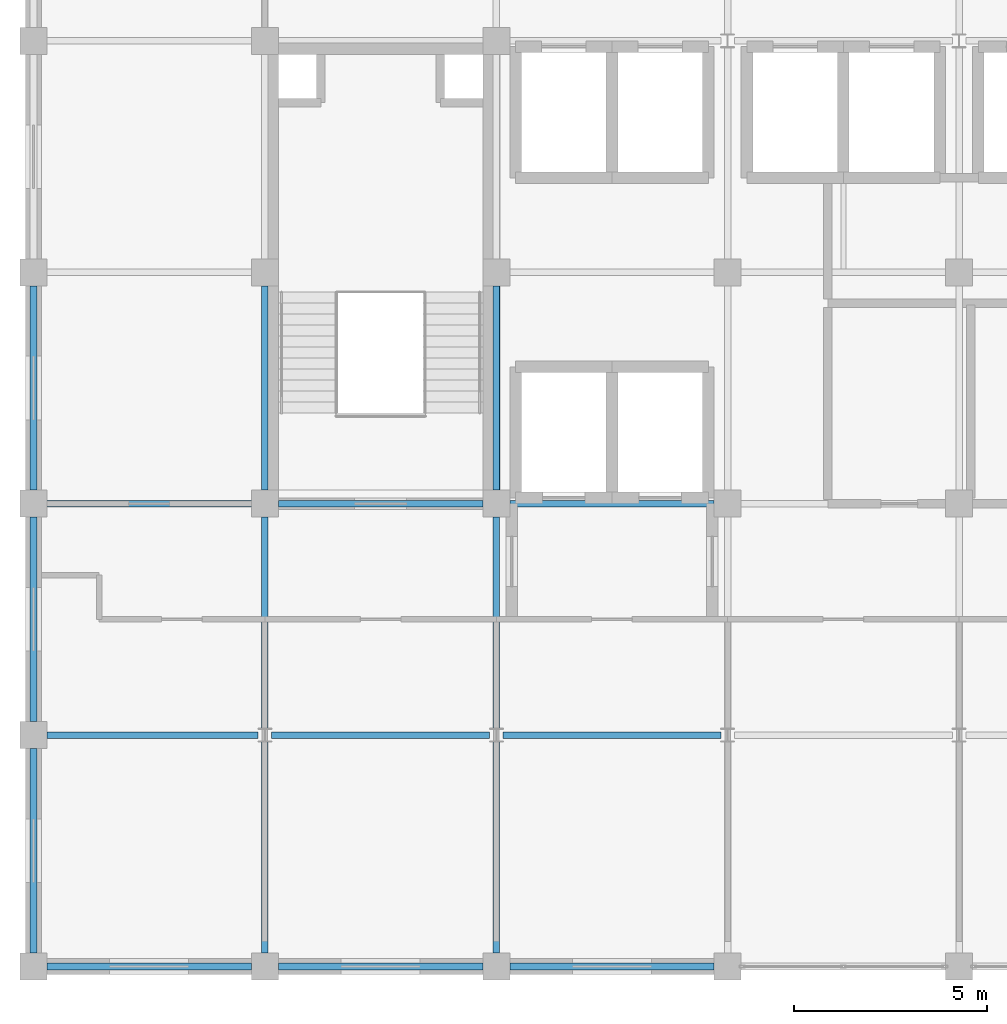
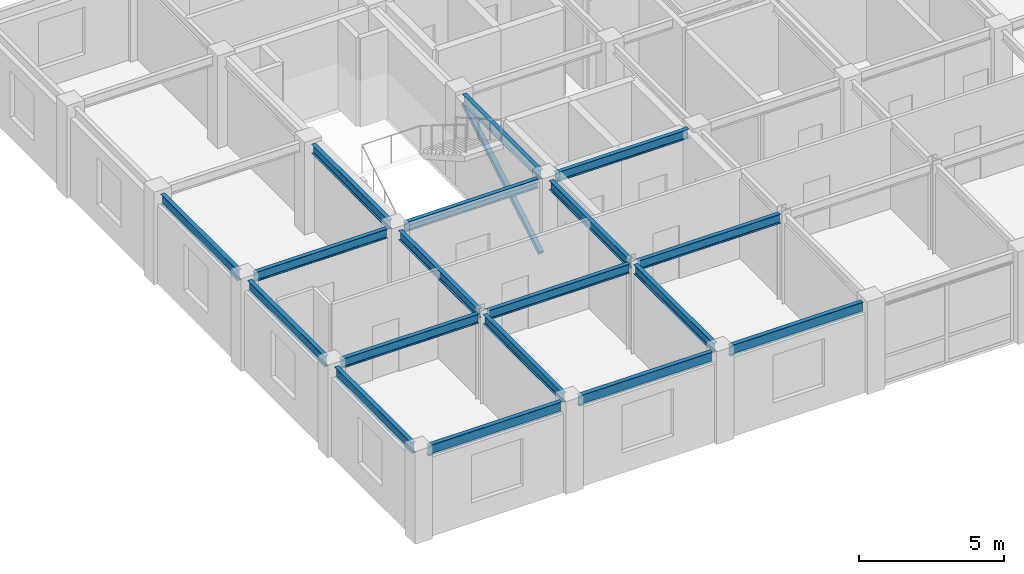
# One storey, part 3 of 12: 18 beams, 1 member.
"""IFC4 building model written with IfcOpenShell, lengths in metres."""

import ifcopenshell
import ifcopenshell.guid

model = None  # the IFC model being written
_history = None  # IfcOwnerHistory: only IFC2X3 demands one
_inside = {}  # id of a spatial element -> (the spatial element, [elements in it])
_under = {}  # id of a project, library or spatial element -> (it, [spatial elements below it])
_declared = {}  # id of a project -> (the project, [libraries it declares])
_typed = {}  # id of a type object -> (the type object, [elements of that type])
_made_of = {}  # id of a material, layer set ... -> (it, [elements and type objects made of it])


def new_model(schema):
    """Start an empty IFC model of exactly this schema.

    Asked for "IFC4X3", IfcOpenShell would pick the latest addendum, in which some entities
    have other attributes; the version numbers below select the first issue.
    IFC2X3 requires an IfcOwnerHistory on every rooted entity: one is made here for all.
    """
    global model, _history
    if schema == "IFC4X3":
        model = ifcopenshell.file(schema_version=(4, 3, 0, 0))
    else:
        model = ifcopenshell.file(schema=schema)
    _inside.clear()
    _under.clear()
    _declared.clear()
    _typed.clear()
    _made_of.clear()
    _history = None
    if model.schema == "IFC2X3":
        org = make("IfcOrganization", Name="unknown")
        user = make(
            "IfcPersonAndOrganization",
            ThePerson=make("IfcPerson", FamilyName="unknown"),
            TheOrganization=org,
        )
        app = make(
            "IfcApplication",
            ApplicationDeveloper=org,
            Version="unknown",
            ApplicationFullName="unknown",
            ApplicationIdentifier="unknown",
        )
        _history = make(
            "IfcOwnerHistory",
            OwningUser=user,
            OwningApplication=app,
            ChangeAction="ADDED",
            CreationDate=0,
        )
    return model


def make(cls, **values):
    """One entity of the class cls with the attributes given. An attribute that is None is left unset."""
    return model.create_entity(
        cls, **{name: value for name, value in values.items() if value is not None}
    )


def rooted(cls, **values):
    """An entity with a GlobalId (a new one), such as an element, a storey or a relation."""
    return make(cls, GlobalId=ifcopenshell.guid.new(), OwnerHistory=_history, **values)


def si_unit(unit_type, name, prefix=None):
    """IfcSIUnit, for example si_unit("LENGTHUNIT", "METRE", prefix="MILLI")."""
    return make("IfcSIUnit", UnitType=unit_type, Prefix=prefix, Name=name)


def assignment(units):
    """IfcUnitAssignment: the units of a project."""
    return None if units is None else make("IfcUnitAssignment", Units=units)


def point(xyz):
    """IfcCartesianPoint."""
    return None if xyz is None else make("IfcCartesianPoint", Coordinates=xyz)


def direction(xyz):
    """IfcDirection."""
    return None if xyz is None else make("IfcDirection", DirectionRatios=xyz)


def frame(location, z_axis=None, x_axis=None):
    """IfcAxis2Placement3D, a coordinate frame: its origin and axes. An axis left out is left unset."""
    return make(
        "IfcAxis2Placement3D",
        Location=point(location),
        Axis=direction(z_axis),
        RefDirection=direction(x_axis),
    )


def frame_2d(location, x_axis=None):
    """IfcAxis2Placement2D, a coordinate frame in the plane: its origin and x axis."""
    return make(
        "IfcAxis2Placement2D", Location=point(location), RefDirection=direction(x_axis)
    )


def origin():
    """The frame at (0, 0, 0) with its axes left unset."""
    return frame((0.0, 0.0, 0.0))


def origin_2d():
    """The frame at (0, 0) in the plane with its x axis left unset."""
    return frame_2d((0.0, 0.0))


def place(relative_to, where):
    """IfcLocalPlacement: puts the frame where relative to a parent placement (None: the world)."""
    return make(
        "IfcLocalPlacement", PlacementRelTo=relative_to, RelativePlacement=where
    )


def context(
    kind, dimensions, precision=None, world=None, true_north=None, identifier=None
):
    """IfcGeometricRepresentationContext, for example the 3D "Model" context."""
    return make(
        "IfcGeometricRepresentationContext",
        ContextIdentifier=identifier,
        ContextType=kind,
        CoordinateSpaceDimension=dimensions,
        Precision=precision,
        WorldCoordinateSystem=world,
        TrueNorth=true_north,
    )


def subcontext(parent, identifier, kind, view, scale=None):
    """IfcGeometricRepresentationSubContext, for example "Body" below "Model"."""
    return make(
        "IfcGeometricRepresentationSubContext",
        ContextIdentifier=identifier,
        ContextType=kind,
        ParentContext=parent,
        TargetScale=scale,
        TargetView=view,
    )


def project(units=None, contexts=None):
    """IfcProject with its units and contexts."""
    return rooted(
        "IfcProject",
        Name="project",
        RepresentationContexts=contexts,
        UnitsInContext=assignment(units),
    )


def spatial(cls, under=None, at=None, **own):
    """A site, building, storey or space (cls), placed at a placement, below another one or the project."""
    s = rooted(cls, ObjectPlacement=at, **own)
    if under is not None:
        _under.setdefault(under.id(), (under, []))[1].append(s)
    return s


def profile(cls, at=None, kind="AREA", **sizes):
    """A parametric profile (cls). Its sizes go by their IFC names, for example OverallWidth=200.0."""
    return make(cls, ProfileType=kind, Position=at, **sizes)


def hollow_rectangle(**sizes):
    """IfcRectangleHollowProfileDef."""
    return profile("IfcRectangleHollowProfileDef", **sizes)


def i_section(**sizes):
    """IfcIShapeProfileDef."""
    return profile("IfcIShapeProfileDef", **sizes)


def extrude(swept, where, along, depth):
    """IfcExtrudedAreaSolid: the profile swept, set in the frame where, extruded along a direction by depth."""
    return make(
        "IfcExtrudedAreaSolid",
        SweptArea=swept,
        Position=where,
        ExtrudedDirection=direction(along),
        Depth=depth,
    )


def shape(context_of_items, identifier, shape_type, items):
    """IfcShapeRepresentation: the items that make up one representation, for example the "Body"."""
    return make(
        "IfcShapeRepresentation",
        ContextOfItems=context_of_items,
        RepresentationIdentifier=identifier,
        RepresentationType=shape_type,
        Items=items,
    )


def material(Name=None, Category=None):
    """IfcMaterial."""
    return make("IfcMaterial", Name=Name, Category=Category)


def material_profile(
    of_material, cross_section, Name=None, Category=None, Priority=None
):
    """IfcMaterialProfile: a cross section and its material."""
    return make(
        "IfcMaterialProfile",
        Name=Name,
        Material=of_material,
        Profile=cross_section,
        Priority=Priority,
        Category=Category,
    )


def profile_set(profiles, Name=None, composite=None):
    """IfcMaterialProfileSet."""
    return make(
        "IfcMaterialProfileSet",
        Name=Name,
        MaterialProfiles=profiles,
        CompositeProfile=composite,
    )


def made_of(thing, what):
    """Note that an element or type object is made of a material, layer set ...; save() writes the relation."""
    if what is not None:
        _made_of.setdefault(what.id(), (what, []))[1].append(thing)
    return thing


def type_object(cls, material=None, **own):
    """A type object (cls), such as IfcWallType, which elements share."""
    return made_of(rooted(cls, **own), material)


def element(
    cls,
    number,
    at=None,
    inside=None,
    cuts=None,
    type_object=None,
    material=None,
    context=None,
    identifier="Body",
    shape_type=None,
    held_by="IfcProductDefinitionShape",
    body=None,
    shapes=None,
    **own,
):
    """One element of the class cls, such as IfcWall. Its Tag is "e" and its number.

    at: its placement. inside: the storey or other place that contains it. cuts: it is an
    opening in that element (IfcRelVoidsElement). A single representation is given by context,
    identifier, shape_type and body (its items); several are given by shapes. held_by: the class
    of the entity that holds the representations. save() writes the other relations.
    """
    e = rooted(cls, Tag="e%d" % number, ObjectPlacement=at, **own)
    if body is not None:
        shapes = [shape(context, identifier, shape_type, body)]
    if shapes is not None:
        e.Representation = make(held_by, Representations=shapes)
    if inside is not None:
        _inside.setdefault(inside.id(), (inside, []))[1].append(e)
    if cuts is not None:
        rooted(
            "IfcRelVoidsElement", RelatingBuildingElement=cuts, RelatedOpeningElement=e
        )
    if type_object is not None:
        _typed.setdefault(type_object.id(), (type_object, []))[1].append(e)
    return made_of(e, material)


def aggregate(whole, parts):
    """IfcRelAggregates: a whole, such as a stair, and the parts it consists of."""
    return rooted("IfcRelAggregates", RelatingObject=whole, RelatedObjects=parts)


def save(model, path):
    """Write the relations noted so far, then the file.

    IfcRelAggregates (storeys below a building ...), IfcRelContainedInSpatialStructure (elements
    in a storey), IfcRelDefinesByType, IfcRelAssociatesMaterial and IfcRelDeclares: one each for
    every whole, place, type object, material and project.
    """
    for whole, parts in _under.values():
        aggregate(whole, parts)
    for where, things in _inside.values():
        rooted(
            "IfcRelContainedInSpatialStructure",
            RelatedElements=things,
            RelatingStructure=where,
        )
    for kind, things in _typed.values():
        rooted("IfcRelDefinesByType", RelatedObjects=things, RelatingType=kind)
    for what, things in _made_of.values():
        rooted("IfcRelAssociatesMaterial", RelatedObjects=things, RelatingMaterial=what)
    for by, libraries in _declared.values():
        rooted("IfcRelDeclares", RelatingContext=by, RelatedDefinitions=libraries)
    model.write(path)


model = new_model("IFC4")

# Units and contexts
model_context = context("Model", 3, precision=1e-05, world=origin(), true_north=direction((0.0, 1.0)))
body_context = subcontext(model_context, "Body", "Model", "MODEL_VIEW")
ifc_project = project(units=[si_unit("LENGTHUNIT", "METRE"), si_unit("AREAUNIT", "SQUARE_METRE"), si_unit("VOLUMEUNIT", "CUBIC_METRE"), si_unit("PLANEANGLEUNIT", "RADIAN"), si_unit("MASSUNIT", "GRAM", prefix="KILO")], contexts=[model_context])

# Site, building, storey
site_placement = place(None, origin())
site = spatial("IfcSite", under=ifc_project, at=site_placement, CompositionType="ELEMENT")
building_placement = place(site_placement, origin())
building = spatial("IfcBuilding", under=site, at=building_placement, Name="Zlatovratsky Civic Hall", CompositionType="ELEMENT")
storey_placement = place(building_placement, frame((0.0, 0.0, 40.5)))
storey = spatial("IfcBuildingStorey", under=building, at=storey_placement, Name="L10", CompositionType="ELEMENT", Elevation=40.5)

# Beams
ifc_material = material(Name="Steel S355", Category="steel")
ifc_material_profile_1 = material_profile(ifc_material, i_section(OverallWidth=0.169921875, OverallDepth=0.446044921875, WebThickness=0.007568359375, FlangeThickness=0.010986328125, FilletRadius=0.01611328125, at=origin_2d()), Name="45B1")
ifc_profile_set_1 = profile_set([ifc_material_profile_1], Name="Steel S355")
beam_type_1 = type_object("IfcBeamType", Name="Beam_Spandrel_45B1", PredefinedType="SPANDREL", material=ifc_profile_set_1)
for number, where, z_axis, x_axis, name in (
    (1, (60.35009765625, 72.0, 3.51708984375), (1.0, 0.0, 0.0), (0.0, 1.0, 0.0), "BM-4610"),
    (2, (66.35009765625, 72.0, 3.51708984375), (1.0, 0.0, 0.0), (0.0, 1.0, 0.0), "BM-4611"),
    (3, (72.35009765625, 72.0, 3.51708984375), (1.0, 0.0, 0.0), (0.0, 1.0, 0.0), "BM-4612"),
    (4, (60.0, 72.35009765625, 3.51708984375), (0.0, 1.0, 0.0), (-1.0, 0.0, 0.0), "BM-4656"),
    (5, (60.0, 78.35009765625, 3.51708984375), (0.0, 1.0, 0.0), (-1.0, 0.0, 0.0), "BM-4657"),
    (6, (60.0, 84.35009765625, 3.51708984375), (0.0, 1.0, 0.0), (-1.0, 0.0, 0.0), "BM-4658"),
):
    element("IfcBeam", number, at=place(storey_placement, frame(where, z_axis=z_axis, x_axis=x_axis)), inside=storey, type_object=beam_type_1, Name=name, PredefinedType="SPANDREL", context=body_context, shape_type="SweptSolid", body=[
        extrude(i_section(OverallWidth=0.169921875, OverallDepth=0.446044921875, WebThickness=0.007568359375, FlangeThickness=0.010986328125, FilletRadius=0.01611328125, at=origin_2d()), origin(), (0.0, 0.0, 1.0), 5.2998046875),
    ])
ifc_material_profile_2 = material_profile(ifc_material, i_section(OverallWidth=0.1650390625, OverallDepth=0.39208984375, WebThickness=0.006591796875, FlangeThickness=0.009521484375, FilletRadius=0.014892578125, at=origin_2d()), Name="40B1")
ifc_profile_set_2 = profile_set([ifc_material_profile_2], Name="Steel S355")
beam_type_2 = type_object("IfcBeamType", Name="Beam_Tie_40B1", PredefinedType="BEAM", material=ifc_profile_set_2)
beam_1_placement = place(storey_placement, frame((60.35009765625, 78.0, 3.5439453125), z_axis=(1.0, 0.0, 0.0), x_axis=(0.0, 1.0, 0.0)))
element("IfcBeam", 7, at=beam_1_placement, inside=storey, type_object=beam_type_2, Name="BM-4618", PredefinedType="BEAM", context=body_context, shape_type="SweptSolid", body=[
    extrude(i_section(OverallWidth=0.1650390625, OverallDepth=0.39208984375, WebThickness=0.006591796875, FlangeThickness=0.009521484375, FilletRadius=0.014892578125, at=origin_2d()), origin(), (0.0, 0.0, 1.0), 5.474853515625),
])
for number, where, z_axis, x_axis, name in (
    (8, (66.175048828125, 78.0, 3.5439453125), (1.0, 0.0, 0.0), (0.0, 1.0, 0.0), "BM-4619"),
    (9, (72.175048828125, 78.0, 3.5439453125), (1.0, 0.0, 0.0), (0.0, 1.0, 0.0), "BM-4620"),
):
    element("IfcBeam", number, at=place(storey_placement, frame(where, z_axis=z_axis, x_axis=x_axis)), inside=storey, type_object=beam_type_2, Name=name, PredefinedType="BEAM", context=body_context, shape_type="SweptSolid", body=[
        extrude(i_section(OverallWidth=0.1650390625, OverallDepth=0.39208984375, WebThickness=0.006591796875, FlangeThickness=0.009521484375, FilletRadius=0.014892578125, at=origin_2d()), origin(), (0.0, 0.0, 1.0), 5.64990234375),
    ])
for number, where, z_axis, x_axis, name in (
    (10, (60.35009765625, 84.0, 3.5439453125), (1.0, 0.0, 0.0), (0.0, 1.0, 0.0), "BM-4626"),
    (11, (66.35009765625, 84.0, 3.5439453125), (1.0, 0.0, 0.0), (0.0, 1.0, 0.0), "BM-4627"),
    (12, (72.35009765625, 84.0, 3.5439453125), (1.0, 0.0, 0.0), (0.0, 1.0, 0.0), "BM-4628"),
):
    element("IfcBeam", number, at=place(storey_placement, frame(where, z_axis=z_axis, x_axis=x_axis)), inside=storey, type_object=beam_type_2, Name=name, PredefinedType="BEAM", context=body_context, shape_type="SweptSolid", body=[
        extrude(i_section(OverallWidth=0.1650390625, OverallDepth=0.39208984375, WebThickness=0.006591796875, FlangeThickness=0.009521484375, FilletRadius=0.014892578125, at=origin_2d()), origin(), (0.0, 0.0, 1.0), 5.2998046875),
    ])
for number, where, z_axis, x_axis, name in (
    (13, (66.0, 72.35009765625, 3.5439453125), (0.0, 1.0, 0.0), (-1.0, 0.0, 0.0), "BM-4661"),
    (14, (66.0, 78.175048828125, 3.5439453125), (0.0, 1.0, 0.0), (-1.0, 0.0, 0.0), "BM-4662"),
):
    element("IfcBeam", number, at=place(storey_placement, frame(where, z_axis=z_axis, x_axis=x_axis)), inside=storey, type_object=beam_type_2, Name=name, PredefinedType="BEAM", context=body_context, shape_type="SweptSolid", body=[
        extrude(i_section(OverallWidth=0.1650390625, OverallDepth=0.39208984375, WebThickness=0.006591796875, FlangeThickness=0.009521484375, FilletRadius=0.014892578125, at=origin_2d()), origin(), (0.0, 0.0, 1.0), 5.474853515625),
    ])
beam_2_placement = place(storey_placement, frame((66.0, 84.35009765625, 3.5439453125), z_axis=(0.0, 1.0, 0.0), x_axis=(-1.0, 0.0, 0.0)))
element("IfcBeam", 15, at=beam_2_placement, inside=storey, type_object=beam_type_2, Name="BM-4663", PredefinedType="BEAM", context=body_context, shape_type="SweptSolid", body=[
    extrude(i_section(OverallWidth=0.1650390625, OverallDepth=0.39208984375, WebThickness=0.006591796875, FlangeThickness=0.009521484375, FilletRadius=0.014892578125, at=origin_2d()), origin(), (0.0, 0.0, 1.0), 5.2998046875),
])
for number, where, z_axis, x_axis, name in (
    (16, (72.0, 72.35009765625, 3.5439453125), (0.0, 1.0, 0.0), (-1.0, 0.0, 0.0), "BM-4666"),
    (17, (72.0, 78.175048828125, 3.5439453125), (0.0, 1.0, 0.0), (-1.0, 0.0, 0.0), "BM-4667"),
):
    element("IfcBeam", number, at=place(storey_placement, frame(where, z_axis=z_axis, x_axis=x_axis)), inside=storey, type_object=beam_type_2, Name=name, PredefinedType="BEAM", context=body_context, shape_type="SweptSolid", body=[
        extrude(i_section(OverallWidth=0.1650390625, OverallDepth=0.39208984375, WebThickness=0.006591796875, FlangeThickness=0.009521484375, FilletRadius=0.014892578125, at=origin_2d()), origin(), (0.0, 0.0, 1.0), 5.474853515625),
    ])
beam_3_placement = place(storey_placement, frame((72.0, 84.35009765625, 3.5439453125), z_axis=(0.0, 1.0, 0.0), x_axis=(-1.0, 0.0, 0.0)))
element("IfcBeam", 18, at=beam_3_placement, inside=storey, type_object=beam_type_2, Name="BM-4668", PredefinedType="BEAM", context=body_context, shape_type="SweptSolid", body=[
    extrude(i_section(OverallWidth=0.1650390625, OverallDepth=0.39208984375, WebThickness=0.006591796875, FlangeThickness=0.009521484375, FilletRadius=0.014892578125, at=origin_2d()), origin(), (0.0, 0.0, 1.0), 5.2998046875),
])

# Member
ifc_material_profile_3 = material_profile(ifc_material, hollow_rectangle(XDim=0.179931640625, YDim=0.179931640625, WallThickness=0.008056640625, at=origin_2d()), Name="SHS 180x180x8")
ifc_profile_set_3 = profile_set([ifc_material_profile_3], Name="Steel S355")
member_type = type_object("IfcMemberType", Name="Brace_TowerMid_SHS180", PredefinedType="BRACE", material=ifc_profile_set_3)
member_placement = place(storey_placement, frame((72.0, 84.35009765625, 0.25), z_axis=(0.0, 0.863172562464, 0.504909028845), x_axis=(-1.0, 0.0, 0.0)))
element("IfcMember", 19, at=member_placement, inside=storey, type_object=member_type, Name="MB-0144", PredefinedType="BRACE", context=body_context, shape_type="SweptSolid", body=[
    extrude(hollow_rectangle(XDim=0.179931640625, YDim=0.179931640625, WallThickness=0.008056640625, at=origin_2d()), origin(), (0.0, 0.0, 1.0), 6.139892578125),
])

save(model, "model.ifc")
